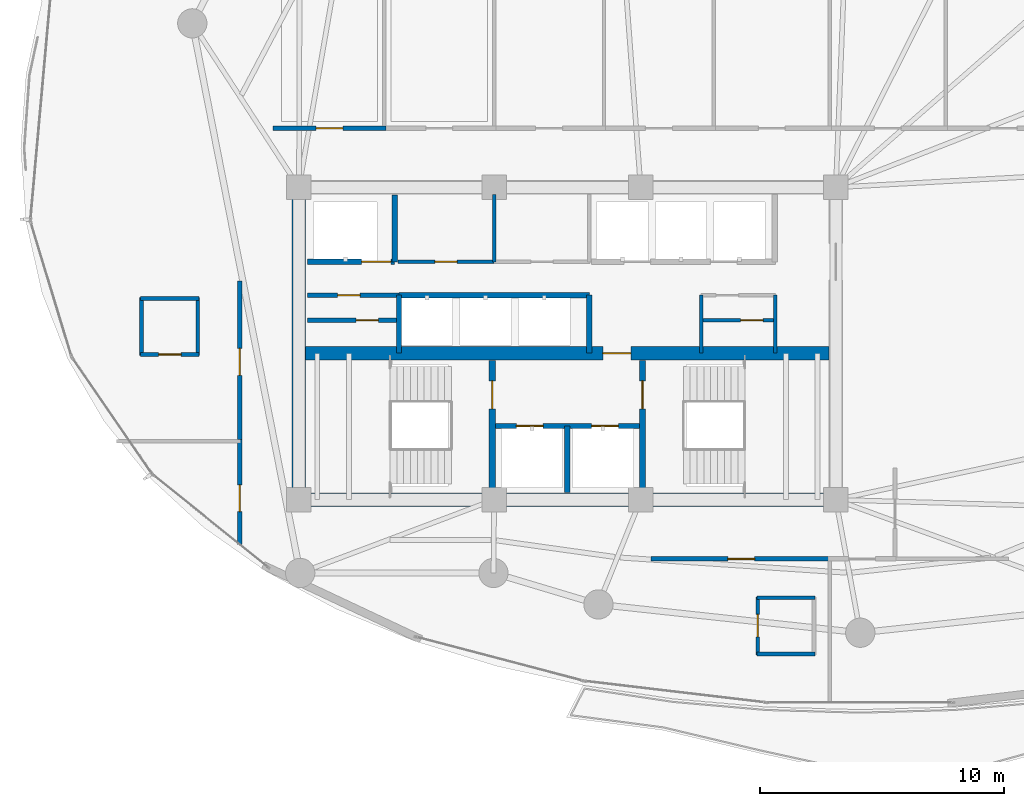
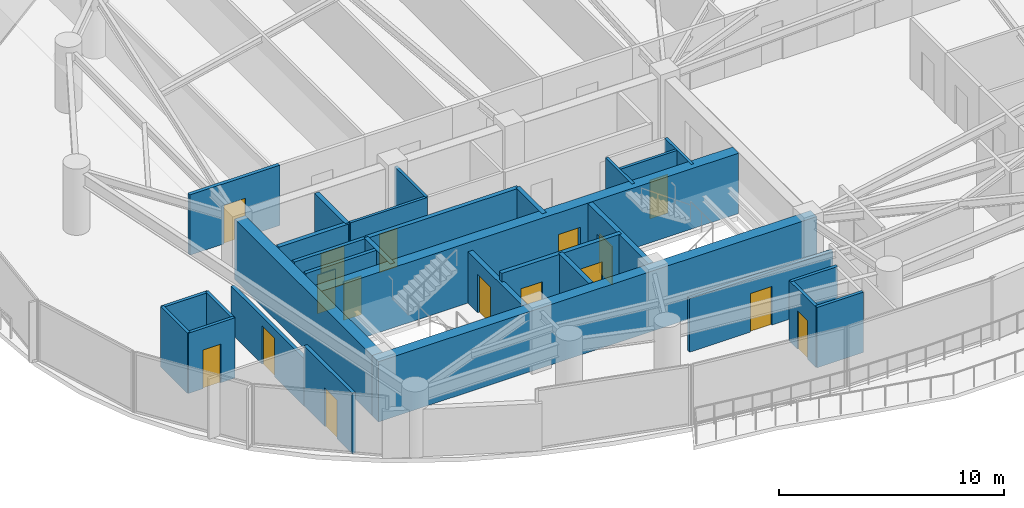
# One storey, part 26 of 33: 30 walls, 16 doors, 16 openings.
"""IFC4 building model written with IfcOpenShell, lengths in metres."""

from ifc_helpers import new_model, si_unit, direction, frame, frame_2d, origin, place, context, subcontext, project, spatial, rectangle, extrude, material, layer, layer_set, type_object, element, fill, save


model = new_model("IFC4")

# Units and contexts
model_context = context("Model", 3, precision=1e-05, world=origin(), true_north=direction((0.0, 1.0)))
body_context = subcontext(model_context, "Body", "Model", "MODEL_VIEW")
ifc_project = project(units=[si_unit("LENGTHUNIT", "METRE"), si_unit("AREAUNIT", "SQUARE_METRE"), si_unit("VOLUMEUNIT", "CUBIC_METRE"), si_unit("PLANEANGLEUNIT", "RADIAN"), si_unit("MASSUNIT", "GRAM", prefix="KILO")], contexts=[model_context])

# Site, building, storey
site_placement = place(None, origin())
site = spatial("IfcSite", under=ifc_project, at=site_placement, CompositionType="ELEMENT")
building_placement = place(site_placement, origin())
building = spatial("IfcBuilding", under=site, at=building_placement, Name="Kazevale Care Tower and Concert Hall", CompositionType="ELEMENT")
storey_placement = place(building_placement, frame((0.0, 0.0, 178.199951171875)))
storey = spatial("IfcBuildingStorey", under=building, at=storey_placement, Name="L47", CompositionType="ELEMENT", Elevation=178.199951171875)

# Wall, opening, door
ifc_material_1 = material(Name="Acoustic Gypsum on Steel Stud", Category="steel")
ifc_layer_1 = layer(ifc_material_1, 0.139892578125)
ifc_layer_set_1 = layer_set([ifc_layer_1], Name="Acoustic Gypsum on Steel Stud")
wall_type_1 = type_object("IfcWallType", Name="Acoustic Care & Suite Partition 140", PredefinedType="PARTITIONING", material=ifc_layer_set_1)
wall_1_placement = place(storey_placement, frame((26.050048828125, 33.35009765625, 0.0), z_axis=(0.0, 0.0, 1.0), x_axis=(1.0, 0.0, 0.0)))
wall_1 = element("IfcWall", 1, at=wall_1_placement, inside=storey, type_object=wall_type_1, Name="wall:L47:c_rpl1_s", PredefinedType="PARTITIONING", context=body_context, shape_type="SweptSolid", body=[
    extrude(rectangle(XDim=3.949951171875, YDim=0.139892578125, at=frame_2d((1.97509765625, 0.0))), origin(), (0.0, 0.0, 1.0), 3.280029296875),
])
opening_1_placement = place(wall_1_placement, frame((1.514892578125, 0.0, 0.0)))
opening_1 = element("IfcOpeningElement", 2, at=opening_1_placement, cuts=wall_1, Name="Opening ID-900", PredefinedType="OPENING", context=body_context, shape_type="SweptSolid", body=[
    extrude(rectangle(XDim=0.919921875, YDim=2.10009765625, at=frame_2d((0.4599609375, 1.050048828125))), frame((0.0, 0.079833984375, 0.0), z_axis=(0.0, -1.0, 0.0), x_axis=(1.0, 0.0, 0.0)), (0.0, 0.0, 1.0), 0.159912109375),
])
ifc_material_2 = material(Name="Oak Timber Fire Leaf", Category="wood")
door_type_1 = type_object("IfcDoorType", Name="Bathroom & Service Door 920x2100", OperationType="NOTDEFINED", PredefinedType="DOOR", material=ifc_material_2)
door_1_placement = place(opening_1_placement, origin())
door_1 = element("IfcDoor", 3, at=door_1_placement, inside=storey, type_object=door_type_1, Name="door:L47:d_rpl1", OperationType="SINGLE_SWING_LEFT", OverallHeight=2.10009765625, OverallWidth=0.919921875, PredefinedType="DOOR", context=body_context, shape_type="SweptSolid", body=[
    extrude(rectangle(XDim=0.919921875, YDim=2.10009765625, at=frame_2d((0.4599609375, 1.050048828125))), frame((0.0, 0.02490234375, 0.0), z_axis=(0.0, -1.0, 0.0), x_axis=(1.0, 0.0, 0.0)), (0.0, 0.0, 1.0), 0.050048828125),
])
fill(opening_1, door_1)

# Walls
wall_2_placement = place(storey_placement, frame((30.0, 33.35009765625, 0.0), z_axis=(0.0, 0.0, 1.0), x_axis=(0.0, 1.0, 0.0)))
element("IfcWall", 4, at=wall_2_placement, inside=storey, type_object=wall_type_1, Name="wall:L47:c_rpl_m", PredefinedType="PARTITIONING", context=body_context, shape_type="SweptSolid", body=[
    extrude(rectangle(XDim=2.75, YDim=0.139892578125, at=frame_2d((1.375, 0.0))), origin(), (0.0, 0.0, 1.0), 3.280029296875),
])
for number, where, z_axis, x_axis, name in (
    (5, (38.47998046875, 29.6201171875, 0.0), (0.0, 0.0, 1.0), (0.0, 1.0, 0.0), "wall:L47:kc_ew"),
    (6, (41.52001953125, 29.6201171875, 0.0), (0.0, 0.0, 1.0), (0.0, 1.0, 0.0), "wall:L47:kc_ee"),
):
    element("IfcWall", number, at=place(storey_placement, frame(where, z_axis=z_axis, x_axis=x_axis)), inside=storey, type_object=wall_type_1, Name=name, PredefinedType="PARTITIONING", context=body_context, shape_type="SweptSolid", body=[
        extrude(rectangle(XDim=2.35986328125, YDim=0.139892578125, at=frame_2d((1.179931640625, 0.0))), origin(), (0.0, 0.0, 1.0), 3.280029296875),
    ])

# Wall, opening, door
wall_3_placement = place(storey_placement, frame((38.47998046875, 30.949951171875, 0.0), z_axis=(0.0, 0.0, 1.0), x_axis=(1.0, 0.0, 0.0)))
wall_3 = element("IfcWall", 7, at=wall_3_placement, inside=storey, type_object=wall_type_1, Name="wall:L47:kc_em", PredefinedType="PARTITIONING", context=body_context, shape_type="SweptSolid", body=[
    extrude(rectangle(XDim=3.0400390625, YDim=0.139892578125, at=frame_2d((1.52001953125, 0.0))), origin(), (0.0, 0.0, 1.0), 3.280029296875),
])
opening_2_placement = place(wall_3_placement, frame((1.616943359375, 0.0, 0.0)))
opening_2 = element("IfcOpeningElement", 8, at=opening_2_placement, cuts=wall_3, Name="Opening ID-900", PredefinedType="OPENING", context=body_context, shape_type="SweptSolid", body=[
    extrude(rectangle(XDim=0.919921875, YDim=2.10009765625, at=frame_2d((0.4599609375, 1.050048828125))), frame((0.0, 0.079833984375, 0.0), z_axis=(0.0, -1.0, 0.0), x_axis=(1.0, 0.0, 0.0)), (0.0, 0.0, 1.0), 0.159912109375),
])
door_2_placement = place(opening_2_placement, origin())
door_2 = element("IfcDoor", 9, at=door_2_placement, inside=storey, type_object=door_type_1, Name="door:L47:d_kceb", OperationType="SINGLE_SWING_RIGHT", OverallHeight=2.10009765625, OverallWidth=0.919921875, PredefinedType="DOOR", context=body_context, shape_type="SweptSolid", body=[
    extrude(rectangle(XDim=0.919921875, YDim=2.10009765625, at=frame_2d((0.4599609375, 1.050048828125))), frame((0.0, 0.02490234375, 0.0), z_axis=(0.0, -1.0, 0.0), x_axis=(1.0, 0.0, 0.0)), (0.0, 0.0, 1.0), 0.050048828125),
])
fill(opening_2, door_2)

# Walls
ifc_material_3 = material(Name="Concrete C60", Category="concrete")
ifc_layer_2 = layer(ifc_material_3, 0.550048828125)
ifc_layer_set_2 = layer_set([ifc_layer_2], Name="Concrete C60")
wall_type_2 = type_object("IfcWallType", Name="Core Shear Wall 550 C60", PredefinedType="SHEAR", material=ifc_layer_set_2)
wall_4_placement = place(storey_placement, frame((21.72509765625, 23.60009765625, 0.0), z_axis=(0.0, 0.0, 1.0), x_axis=(1.0, 0.0, 0.0)))
element("IfcWall", 10, at=wall_4_placement, inside=storey, type_object=wall_type_2, Name="wall:L47:core:S", PredefinedType="SHEAR", context=body_context, shape_type="SweptSolid", body=[
    extrude(rectangle(XDim=22.5498046875, YDim=0.550048828125, at=frame_2d((11.27490234375, 0.0))), origin(), (0.0, 0.0, 1.0), 3.280029296875),
])
wall_5_placement = place(storey_placement, frame((22.0, 23.875, 0.0), z_axis=(0.0, 0.0, 1.0), x_axis=(0.0, 1.0, 0.0)))
element("IfcWall", 11, at=wall_5_placement, inside=storey, type_object=wall_type_2, Name="wall:L47:core:W", PredefinedType="SHEAR", context=body_context, shape_type="SweptSolid", body=[
    extrude(rectangle(XDim=12.25, YDim=0.550048828125, at=frame_2d((6.125, 0.0))), origin(), (0.0, 0.0, 1.0), 3.280029296875),
])

# Wall, opening, door
wall_6_placement = place(storey_placement, frame((22.27490234375, 29.60009765625, 0.0), z_axis=(0.0, 0.0, 1.0), x_axis=(1.0, 0.0, 0.0)))
wall_6 = element("IfcWall", 12, at=wall_6_placement, inside=storey, type_object=wall_type_2, Name="wall:L47:core:M", PredefinedType="SHEAR", context=body_context, shape_type="SweptSolid", body=[
    extrude(rectangle(XDim=21.4501953125, YDim=0.550048828125, at=frame_2d((10.72509765625, 0.0))), origin(), (0.0, 0.0, 1.0), 3.280029296875),
])
opening_3_placement = place(wall_6_placement, frame((12.175048828125, 0.0, 0.0)))
opening_3 = element("IfcOpeningElement", 13, at=opening_3_placement, cuts=wall_6, Name="Opening FD-90", PredefinedType="OPENING", context=body_context, shape_type="SweptSolid", body=[
    extrude(rectangle(XDim=1.14990234375, YDim=2.10009765625, at=frame_2d((0.574951171875, 1.050048828125))), frame((0.0, 0.284912109375, 0.0), z_axis=(0.0, -1.0, 0.0), x_axis=(1.0, 0.0, 0.0)), (0.0, 0.0, 1.0), 0.570068359375),
])
ifc_material_4 = material(Name="Steel ASTM A572 Gr 50", Category="steel")
door_type_2 = type_object("IfcDoorType", Name="Pressurized Stair & Lobby Fire Door 1150x2100", OperationType="NOTDEFINED", PredefinedType="DOOR", material=ifc_material_4)
door_3_placement = place(opening_3_placement, origin())
door_3 = element("IfcDoor", 14, at=door_3_placement, inside=storey, type_object=door_type_2, Name="door:L47:ff_to_pax", OperationType="SINGLE_SWING_LEFT", OverallHeight=2.10009765625, OverallWidth=1.14990234375, PredefinedType="DOOR", context=body_context, shape_type="SweptSolid", body=[
    extrude(rectangle(XDim=1.14990234375, YDim=2.10009765625, at=frame_2d((0.574951171875, 1.050048828125))), frame((0.0, 0.02490234375, 0.0), z_axis=(0.0, -1.0, 0.0), x_axis=(1.0, 0.0, 0.0)), (0.0, 0.0, 1.0), 0.050048828125),
])
fill(opening_3, door_3)

# Wall, openings, doors
ifc_material_5 = material(Name="Concrete C40", Category="concrete")
ifc_layer_3 = layer(ifc_material_5, 0.219970703125)
ifc_layer_set_3 = layer_set([ifc_layer_3], Name="Concrete C40")
wall_type_3 = type_object("IfcWallType", Name="Elevator Hoistway Shaft Wall 220", PredefinedType="SOLIDWALL", material=ifc_layer_set_3)
wall_7_placement = place(storey_placement, frame((29.919921875, 26.6201171875, 0.0), z_axis=(0.0, 0.0, 1.0), x_axis=(1.0, 0.0, 0.0)))
wall_7 = element("IfcWall", 15, at=wall_7_placement, inside=storey, type_object=wall_type_3, Name="wall:L47:c_ffl_n", PredefinedType="SOLIDWALL", context=body_context, shape_type="SweptSolid", body=[
    extrude(rectangle(XDim=6.16015625, YDim=0.219970703125, at=frame_2d((3.080078125, 0.0))), origin(), (0.0, 0.0, 1.0), 3.280029296875),
])
opening_4_placement = place(wall_7_placement, frame((0.989990234375, 0.0, 0.0)))
opening_4 = element("IfcOpeningElement", 16, at=opening_4_placement, cuts=wall_7, Name="Opening LD-FF", PredefinedType="OPENING", context=body_context, shape_type="SweptSolid", body=[
    extrude(rectangle(XDim=1.10009765625, YDim=2.10009765625, at=frame_2d((0.550048828125, 1.050048828125))), frame((0.0, 0.119873046875, 0.0), z_axis=(0.0, -1.0, 0.0), x_axis=(1.0, 0.0, 0.0)), (0.0, 0.0, 1.0), 0.239990234375),
])
opening_5_placement = place(wall_7_placement, frame((4.070068359375, 0.0, 0.0)))
opening_5 = element("IfcOpeningElement", 17, at=opening_5_placement, cuts=wall_7, Name="Opening LD-FF", PredefinedType="OPENING", context=body_context, shape_type="SweptSolid", body=[
    extrude(rectangle(XDim=1.10009765625, YDim=2.10009765625, at=frame_2d((0.550048828125, 1.050048828125))), frame((0.0, 0.119873046875, 0.0), z_axis=(0.0, -1.0, 0.0), x_axis=(1.0, 0.0, 0.0)), (0.0, 0.0, 1.0), 0.239990234375),
])
ifc_material_6 = material(Name="Stainless Steel 316", Category="steel")
door_type_3 = type_object("IfcDoorType", Name="Emergency Lift Sliding Landing Door 1100x2100", OperationType="NOTDEFINED", PredefinedType="DOOR", material=ifc_material_6)
door_4_placement = place(opening_4_placement, origin())
door_4 = element("IfcDoor", 18, at=door_4_placement, inside=storey, type_object=door_type_3, Name="door:L47:ld_ffl1", OperationType="SLIDING_TO_LEFT", OverallHeight=2.10009765625, OverallWidth=1.10009765625, PredefinedType="DOOR", context=body_context, shape_type="SweptSolid", body=[
    extrude(rectangle(XDim=1.10009765625, YDim=2.10009765625, at=frame_2d((0.550048828125, 1.050048828125))), frame((0.0, 0.02490234375, 0.0), z_axis=(0.0, -1.0, 0.0), x_axis=(1.0, 0.0, 0.0)), (0.0, 0.0, 1.0), 0.050048828125),
])
fill(opening_4, door_4)
door_5_placement = place(opening_5_placement, origin())
door_5 = element("IfcDoor", 19, at=door_5_placement, inside=storey, type_object=door_type_3, Name="door:L47:ld_ffl2", OperationType="SLIDING_TO_RIGHT", OverallHeight=2.10009765625, OverallWidth=1.10009765625, PredefinedType="DOOR", context=body_context, shape_type="SweptSolid", body=[
    extrude(rectangle(XDim=1.10009765625, YDim=2.10009765625, at=frame_2d((0.550048828125, 1.050048828125))), frame((0.0, 0.02490234375, 0.0), z_axis=(0.0, -1.0, 0.0), x_axis=(1.0, 0.0, 0.0)), (0.0, 0.0, 1.0), 0.050048828125),
])
fill(opening_5, door_5)

# Walls
wall_8_placement = place(storey_placement, frame((33.0, 23.89990234375, 0.0), z_axis=(0.0, 0.0, 1.0), x_axis=(0.0, 1.0, 0.0)))
element("IfcWall", 20, at=wall_8_placement, inside=storey, type_object=wall_type_3, Name="wall:L47:c_ffl_m", PredefinedType="SOLIDWALL", context=body_context, shape_type="SweptSolid", body=[
    extrude(rectangle(XDim=2.72021484375, YDim=0.219970703125, at=frame_2d((1.360107421875, 0.0))), origin(), (0.0, 0.0, 1.0), 3.280029296875),
])
wall_9_placement = place(storey_placement, frame((25.919921875, 33.35009765625, 0.0), z_axis=(0.0, 0.0, 1.0), x_axis=(0.0, 1.0, 0.0)))
element("IfcWall", 21, at=wall_9_placement, inside=storey, type_object=wall_type_3, Name="wall:L47:c_svl_e", PredefinedType="SOLIDWALL", context=body_context, shape_type="SweptSolid", body=[
    extrude(rectangle(XDim=2.72998046875, YDim=0.219970703125, at=frame_2d((1.364990234375, 0.0))), origin(), (0.0, 0.0, 1.0), 3.280029296875),
])

# Wall, opening, door
wall_10_placement = place(storey_placement, frame((22.35009765625, 33.35009765625, 0.0), z_axis=(0.0, 0.0, 1.0), x_axis=(1.0, 0.0, 0.0)))
wall_10 = element("IfcWall", 22, at=wall_10_placement, inside=storey, type_object=wall_type_3, Name="wall:L47:c_svl_s", PredefinedType="SOLIDWALL", context=body_context, shape_type="SweptSolid", body=[
    extrude(rectangle(XDim=3.56982421875, YDim=0.219970703125, at=frame_2d((1.784912109375, 0.0))), origin(), (0.0, 0.0, 1.0), 3.280029296875),
])
opening_6_placement = place(wall_10_placement, frame((2.212890625, 0.0, 0.0)))
opening_6 = element("IfcOpeningElement", 23, at=opening_6_placement, cuts=wall_10, Name="Opening LD-SV", PredefinedType="OPENING", context=body_context, shape_type="SweptSolid", body=[
    extrude(rectangle(XDim=1.199951171875, YDim=2.10009765625, at=frame_2d((0.60009765625, 1.050048828125))), frame((0.0, 0.119873046875, 0.0), z_axis=(0.0, -1.0, 0.0), x_axis=(1.0, 0.0, 0.0)), (0.0, 0.0, 1.0), 0.239990234375),
])
door_type_4 = type_object("IfcDoorType", Name="Service Lift Sliding Landing Door 1200x2100", OperationType="NOTDEFINED", PredefinedType="DOOR", material=ifc_material_6)
door_6_placement = place(opening_6_placement, origin())
door_6 = element("IfcDoor", 24, at=door_6_placement, inside=storey, type_object=door_type_4, Name="door:L47:ld_svl1", OperationType="SLIDING_TO_LEFT", OverallHeight=2.10009765625, OverallWidth=1.199951171875, PredefinedType="DOOR", context=body_context, shape_type="SweptSolid", body=[
    extrude(rectangle(XDim=1.199951171875, YDim=2.10009765625, at=frame_2d((0.60009765625, 1.050048828125))), frame((0.0, 0.02490234375, 0.0), z_axis=(0.0, -1.0, 0.0), x_axis=(1.0, 0.0, 0.0)), (0.0, 0.0, 1.0), 0.050048828125),
])
fill(opening_6, door_6)

# Walls
wall_11_placement = place(storey_placement, frame((26.10009765625, 29.6201171875, 0.0), z_axis=(0.0, 0.0, 1.0), x_axis=(0.0, 1.0, 0.0)))
element("IfcWall", 25, at=wall_11_placement, inside=storey, type_object=wall_type_3, Name="wall:L47:c_ph_w", PredefinedType="SOLIDWALL", context=body_context, shape_type="SweptSolid", body=[
    extrude(rectangle(XDim=2.35986328125, YDim=0.219970703125, at=frame_2d((1.179931640625, 0.0))), origin(), (0.0, 0.0, 1.0), 3.280029296875),
])
wall_12_placement = place(storey_placement, frame((26.10009765625, 31.97998046875, 0.0), z_axis=(0.0, 0.0, 1.0), x_axis=(1.0, 0.0, 0.0)))
element("IfcWall", 26, at=wall_12_placement, inside=storey, type_object=wall_type_3, Name="wall:L47:c_ph_n", PredefinedType="SOLIDWALL", context=body_context, shape_type="SweptSolid", body=[
    extrude(rectangle(XDim=7.7998046875, YDim=0.219970703125, at=frame_2d((3.89990234375, 0.0))), origin(), (0.0, 0.0, 1.0), 3.280029296875),
])
wall_13_placement = place(storey_placement, frame((33.89990234375, 29.6201171875, 0.0), z_axis=(0.0, 0.0, 1.0), x_axis=(0.0, 1.0, 0.0)))
element("IfcWall", 27, at=wall_13_placement, inside=storey, type_object=wall_type_3, Name="wall:L47:c_ph_e", PredefinedType="SOLIDWALL", context=body_context, shape_type="SweptSolid", body=[
    extrude(rectangle(XDim=2.35986328125, YDim=0.219970703125, at=frame_2d((1.179931640625, 0.0))), origin(), (0.0, 0.0, 1.0), 3.280029296875),
])

# Wall, opening, door
ifc_material_7 = material(Name="Concrete C40 and Acoustic Gypsum", Category="concrete")
ifc_layer_4 = layer(ifc_material_7, 0.179931640625)
ifc_layer_set_4 = layer_set([ifc_layer_4], Name="Concrete C40 and Acoustic Gypsum")
wall_type_4 = type_object("IfcWallType", Name="Fire-Rated Corridor & Party Wall 180", PredefinedType="PARTITIONING", material=ifc_layer_set_4)
wall_14_placement = place(storey_placement, frame((22.35009765625, 30.949951171875, 0.0), z_axis=(0.0, 0.0, 1.0), x_axis=(1.0, 0.0, 0.0)))
wall_14 = element("IfcWall", 28, at=wall_14_placement, inside=storey, type_object=wall_type_4, Name="wall:L47:kc_wm", PredefinedType="PARTITIONING", context=body_context, shape_type="SweptSolid", body=[
    extrude(rectangle(XDim=3.75, YDim=0.179931640625, at=frame_2d((1.875, 0.0))), origin(), (0.0, 0.0, 1.0), 3.280029296875),
])
opening_7_placement = place(wall_14_placement, frame((1.988037109375, 0.0, 0.0)))
opening_7 = element("IfcOpeningElement", 29, at=opening_7_placement, cuts=wall_14, Name="Opening ID-900", PredefinedType="OPENING", context=body_context, shape_type="SweptSolid", body=[
    extrude(rectangle(XDim=0.919921875, YDim=2.10009765625, at=frame_2d((0.4599609375, 1.050048828125))), frame((0.0, 0.099853515625, 0.0), z_axis=(0.0, -1.0, 0.0), x_axis=(1.0, 0.0, 0.0)), (0.0, 0.0, 1.0), 0.199951171875),
])
door_7_placement = place(opening_7_placement, origin())
door_7 = element("IfcDoor", 30, at=door_7_placement, inside=storey, type_object=door_type_1, Name="door:L47:d_kcwb", OperationType="SINGLE_SWING_RIGHT", OverallHeight=2.10009765625, OverallWidth=0.919921875, PredefinedType="DOOR", context=body_context, shape_type="SweptSolid", body=[
    extrude(rectangle(XDim=0.919921875, YDim=2.10009765625, at=frame_2d((0.4599609375, 1.050048828125))), frame((0.0, 0.02490234375, 0.0), z_axis=(0.0, -1.0, 0.0), x_axis=(1.0, 0.0, 0.0)), (0.0, 0.0, 1.0), 0.050048828125),
])
fill(opening_7, door_7)

wall_15_placement = place(storey_placement, frame((22.35009765625, 31.97998046875, 0.0), z_axis=(0.0, 0.0, 1.0), x_axis=(1.0, 0.0, 0.0)))
wall_15 = element("IfcWall", 31, at=wall_15_placement, inside=storey, type_object=wall_type_4, Name="wall:L47:kc_wn", PredefinedType="PARTITIONING", context=body_context, shape_type="SweptSolid", body=[
    extrude(rectangle(XDim=3.75, YDim=0.179931640625, at=frame_2d((1.875, 0.0))), origin(), (0.0, 0.0, 1.0), 3.280029296875),
])
opening_8_placement = place(wall_15_placement, frame((1.238037109375, 0.0, 0.0)))
opening_8 = element("IfcOpeningElement", 32, at=opening_8_placement, cuts=wall_15, Name="Opening ID-900", PredefinedType="OPENING", context=body_context, shape_type="SweptSolid", body=[
    extrude(rectangle(XDim=0.919921875, YDim=2.10009765625, at=frame_2d((0.4599609375, 1.050048828125))), frame((0.0, 0.099853515625, 0.0), z_axis=(0.0, -1.0, 0.0), x_axis=(1.0, 0.0, 0.0)), (0.0, 0.0, 1.0), 0.199951171875),
])
door_8_placement = place(opening_8_placement, origin())
door_8 = element("IfcDoor", 33, at=door_8_placement, inside=storey, type_object=door_type_1, Name="door:L47:d_kcwt", OperationType="SINGLE_SWING_LEFT", OverallHeight=2.10009765625, OverallWidth=0.919921875, PredefinedType="DOOR", context=body_context, shape_type="SweptSolid", body=[
    extrude(rectangle(XDim=0.919921875, YDim=2.10009765625, at=frame_2d((0.4599609375, 1.050048828125))), frame((0.0, 0.02490234375, 0.0), z_axis=(0.0, -1.0, 0.0), x_axis=(1.0, 0.0, 0.0)), (0.0, 0.0, 1.0), 0.050048828125),
])
fill(opening_8, door_8)

wall_16_placement = place(storey_placement, frame((20.93505859375, 38.824951171875, 0.0), z_axis=(0.0, 0.0, 1.0), x_axis=(1.0, 0.0, 0.0)))
wall_16 = element("IfcWall", 34, at=wall_16_placement, inside=storey, type_object=wall_type_4, Name="wall:L47:auto_001", PredefinedType="PARTITIONING", context=body_context, shape_type="SweptSolid", body=[
    extrude(rectangle(XDim=4.6298828125, YDim=0.179931640625, at=frame_2d((2.31494140625, 0.0))), origin(), (0.0, 0.0, 1.0), 3.280029296875),
])
opening_9_placement = place(wall_16_placement, frame((1.764892578125, 0.0, 0.0)))
opening_9 = element("IfcOpeningElement", 35, at=opening_9_placement, cuts=wall_16, Name="Opening ID-1100", PredefinedType="OPENING", context=body_context, shape_type="SweptSolid", body=[
    extrude(rectangle(XDim=1.10009765625, YDim=2.10009765625, at=frame_2d((0.550048828125, 1.050048828125))), frame((0.0, 0.099853515625, 0.0), z_axis=(0.0, -1.0, 0.0), x_axis=(1.0, 0.0, 0.0)), (0.0, 0.0, 1.0), 0.199951171875),
])
door_type_5 = type_object("IfcDoorType", Name="Care Bedroom Accessible Door 1100x2100", OperationType="NOTDEFINED", PredefinedType="DOOR", material=ifc_material_2)
door_9_placement = place(opening_9_placement, origin())
door_9 = element("IfcDoor", 36, at=door_9_placement, inside=storey, type_object=door_type_5, Name="door:L47:ad_001", OperationType="SINGLE_SWING_LEFT", OverallHeight=2.10009765625, OverallWidth=1.10009765625, PredefinedType="DOOR", context=body_context, shape_type="SweptSolid", body=[
    extrude(rectangle(XDim=1.10009765625, YDim=2.10009765625, at=frame_2d((0.550048828125, 1.050048828125))), frame((0.0, 0.02490234375, 0.0), z_axis=(0.0, -1.0, 0.0), x_axis=(1.0, 0.0, 0.0)), (0.0, 0.0, 1.0), 0.050048828125),
])
fill(opening_9, door_9)

wall_17_placement = place(storey_placement, frame((43.81494140625, 21.175048828125, 0.0), z_axis=(0.0, 0.0, 1.0), x_axis=(-1.0, 0.0, 0.0)))
wall_17 = element("IfcWall", 37, at=wall_17_placement, inside=storey, type_object=wall_type_4, Name="wall:L47:auto_017", PredefinedType="PARTITIONING", context=body_context, shape_type="SweptSolid", body=[
    extrude(rectangle(XDim=7.3798828125, YDim=0.179931640625, at=frame_2d((3.68994140625, 0.0))), origin(), (0.0, 0.0, 1.0), 2.916015625),
])
opening_10_placement = place(wall_17_placement, frame((3.139892578125, 0.0, 0.0)))
opening_10 = element("IfcOpeningElement", 38, at=opening_10_placement, cuts=wall_17, Name="Opening ID-1100", PredefinedType="OPENING", context=body_context, shape_type="SweptSolid", body=[
    extrude(rectangle(XDim=1.10009765625, YDim=2.10009765625, at=frame_2d((0.550048828125, 1.050048828125))), frame((0.0, 0.099853515625, 0.0), z_axis=(0.0, -1.0, 0.0), x_axis=(1.0, 0.0, 0.0)), (0.0, 0.0, 1.0), 0.199951171875),
])
door_10_placement = place(opening_10_placement, origin())
door_10 = element("IfcDoor", 39, at=door_10_placement, inside=storey, type_object=door_type_5, Name="door:L47:ad_017", OperationType="SINGLE_SWING_LEFT", OverallHeight=2.10009765625, OverallWidth=1.10009765625, PredefinedType="DOOR", context=body_context, shape_type="SweptSolid", body=[
    extrude(rectangle(XDim=1.10009765625, YDim=2.10009765625, at=frame_2d((0.550048828125, 1.050048828125))), frame((0.0, 0.02490234375, 0.0), z_axis=(0.0, -1.0, 0.0), x_axis=(1.0, 0.0, 0.0)), (0.0, 0.0, 1.0), 0.050048828125),
])
fill(opening_10, door_10)

wall_18_placement = place(storey_placement, frame((19.574951171875, 21.774658203125, 0.0), z_axis=(0.0, 0.0, 1.0), x_axis=(0.0, 1.0, 0.0)))
wall_18 = element("IfcWall", 40, at=wall_18_placement, inside=storey, type_object=wall_type_4, Name="wall:L47:auto_019", PredefinedType="PARTITIONING", context=body_context, shape_type="SweptSolid", body=[
    extrude(rectangle(XDim=4.290283203125, YDim=0.179931640625, at=frame_2d((2.14501953125, 0.0))), origin(), (0.0, 0.0, 1.0), 3.280029296875),
])
opening_11_placement = place(wall_18_placement, frame((1.337890625, 0.0, 0.0)))
opening_11 = element("IfcOpeningElement", 41, at=opening_11_placement, cuts=wall_18, Name="Opening ID-1100", PredefinedType="OPENING", context=body_context, shape_type="SweptSolid", body=[
    extrude(rectangle(XDim=1.10009765625, YDim=2.10009765625, at=frame_2d((0.550048828125, 1.050048828125))), frame((0.0, 0.099853515625, 0.0), z_axis=(0.0, -1.0, 0.0), x_axis=(1.0, 0.0, 0.0)), (0.0, 0.0, 1.0), 0.199951171875),
])
door_11_placement = place(opening_11_placement, origin())
door_11 = element("IfcDoor", 42, at=door_11_placement, inside=storey, type_object=door_type_5, Name="door:L47:ad_019", OperationType="SINGLE_SWING_LEFT", OverallHeight=2.10009765625, OverallWidth=1.10009765625, PredefinedType="DOOR", context=body_context, shape_type="SweptSolid", body=[
    extrude(rectangle(XDim=1.10009765625, YDim=2.10009765625, at=frame_2d((0.550048828125, 1.050048828125))), frame((0.0, 0.02490234375, 0.0), z_axis=(0.0, -1.0, 0.0), x_axis=(1.0, 0.0, 0.0)), (0.0, 0.0, 1.0), 0.050048828125),
])
fill(opening_11, door_11)

wall_19_placement = place(storey_placement, frame((19.574951171875, 25.93505859375, 0.0), z_axis=(0.0, 0.0, 1.0), x_axis=(0.0, 1.0, 0.0)))
wall_19 = element("IfcWall", 43, at=wall_19_placement, inside=storey, type_object=wall_type_4, Name="wall:L47:auto_020", PredefinedType="PARTITIONING", context=body_context, shape_type="SweptSolid", body=[
    extrude(rectangle(XDim=6.6298828125, YDim=0.179931640625, at=frame_2d((3.31494140625, 0.0))), origin(), (0.0, 0.0, 1.0), 2.5771484375),
])
opening_12_placement = place(wall_19_placement, frame((2.764892578125, 0.0, 0.0)))
opening_12 = element("IfcOpeningElement", 44, at=opening_12_placement, cuts=wall_19, Name="Opening ID-1100", PredefinedType="OPENING", context=body_context, shape_type="SweptSolid", body=[
    extrude(rectangle(XDim=1.10009765625, YDim=2.10009765625, at=frame_2d((0.550048828125, 1.050048828125))), frame((0.0, 0.099853515625, 0.0), z_axis=(0.0, -1.0, 0.0), x_axis=(1.0, 0.0, 0.0)), (0.0, 0.0, 1.0), 0.199951171875),
])
door_12_placement = place(opening_12_placement, origin())
door_12 = element("IfcDoor", 45, at=door_12_placement, inside=storey, type_object=door_type_5, Name="door:L47:ad_020", OperationType="SINGLE_SWING_LEFT", OverallHeight=2.10009765625, OverallWidth=1.10009765625, PredefinedType="DOOR", context=body_context, shape_type="SweptSolid", body=[
    extrude(rectangle(XDim=1.10009765625, YDim=2.10009765625, at=frame_2d((0.550048828125, 1.050048828125))), frame((0.0, 0.02490234375, 0.0), z_axis=(0.0, -1.0, 0.0), x_axis=(1.0, 0.0, 0.0)), (0.0, 0.0, 1.0), 0.050048828125),
])
fill(opening_12, door_12)

# Walls
ifc_layer_5 = layer(ifc_material_1, 0.159912109375)
ifc_layer_set_5 = layer_set([ifc_layer_5], Name="Acoustic Gypsum on Steel Stud")
wall_type_5 = type_object("IfcWallType", Name="Moisture-Resistant Bathroom Plumbing Wall 160", PredefinedType="PLUMBINGWALL", material=ifc_layer_set_5)
for number, where, z_axis, x_axis, name in (
    (46, (40.760009765625, 17.281982421875, 0.0), (0.0, 0.0, 1.0), (1.0, 0.0, 0.0), "wall:L47:sb2a_ens_ws"),
    (47, (40.760009765625, 19.58203125, 0.0), (0.0, 0.0, 1.0), (1.0, 0.0, 0.0), "wall:L47:sb2a_ens_wn"),
):
    element("IfcWall", number, at=place(storey_placement, frame(where, z_axis=z_axis, x_axis=x_axis)), inside=storey, type_object=wall_type_5, Name=name, PredefinedType="PLUMBINGWALL", context=body_context, shape_type="SweptSolid", body=[
        extrude(rectangle(XDim=2.3798828125, YDim=0.159912109375, at=frame_2d((1.18994140625, 0.0))), origin(), (0.0, 0.0, 1.0), 3.280029296875),
    ])

# Wall, opening, door
wall_20_placement = place(storey_placement, frame((40.800048828125, 17.241943359375, 0.0), z_axis=(0.0, 0.0, 1.0), x_axis=(0.0, 1.0, 0.0)))
wall_20 = element("IfcWall", 48, at=wall_20_placement, inside=storey, type_object=wall_type_5, Name="wall:L47:sb2a_ens_ww", PredefinedType="PLUMBINGWALL", context=body_context, shape_type="SweptSolid", body=[
    extrude(rectangle(XDim=2.380126953125, YDim=0.159912109375, at=frame_2d((1.18994140625, 0.0))), origin(), (0.0, 0.0, 1.0), 3.280029296875),
])
opening_13_placement = place(wall_20_placement, frame((0.739990234375, 0.0, 0.0)))
opening_13 = element("IfcOpeningElement", 49, at=opening_13_placement, cuts=wall_20, Name="Opening ID-900", PredefinedType="OPENING", context=body_context, shape_type="SweptSolid", body=[
    extrude(rectangle(XDim=0.919921875, YDim=2.10009765625, at=frame_2d((0.4599609375, 1.050048828125))), frame((0.0, 0.08984375, 0.0), z_axis=(0.0, -1.0, 0.0), x_axis=(1.0, 0.0, 0.0)), (0.0, 0.0, 1.0), 0.179931640625),
])
door_13_placement = place(opening_13_placement, origin())
door_13 = element("IfcDoor", 50, at=door_13_placement, inside=storey, type_object=door_type_1, Name="door:L47:sb2a_ens_d", OperationType="SINGLE_SWING_RIGHT", OverallHeight=2.10009765625, OverallWidth=0.919921875, PredefinedType="DOOR", context=body_context, shape_type="SweptSolid", body=[
    extrude(rectangle(XDim=0.919921875, YDim=2.10009765625, at=frame_2d((0.4599609375, 1.050048828125))), frame((0.0, 0.02490234375, 0.0), z_axis=(0.0, -1.0, 0.0), x_axis=(1.0, 0.0, 0.0)), (0.0, 0.0, 1.0), 0.050048828125),
])
fill(opening_13, door_13)

wall_21_placement = place(storey_placement, frame((15.514892578125, 29.550048828125, 0.0), z_axis=(0.0, 0.0, 1.0), x_axis=(1.0, 0.0, 0.0)))
wall_21 = element("IfcWall", 51, at=wall_21_placement, inside=storey, type_object=wall_type_5, Name="wall:L47:wb2_ens_ws", PredefinedType="PLUMBINGWALL", context=body_context, shape_type="SweptSolid", body=[
    extrude(rectangle(XDim=2.380126953125, YDim=0.159912109375, at=frame_2d((1.18994140625, 0.0))), origin(), (0.0, 0.0, 1.0), 3.280029296875),
])
opening_14_placement = place(wall_21_placement, frame((0.739990234375, 0.0, 0.0)))
opening_14 = element("IfcOpeningElement", 52, at=opening_14_placement, cuts=wall_21, Name="Opening ID-900", PredefinedType="OPENING", context=body_context, shape_type="SweptSolid", body=[
    extrude(rectangle(XDim=0.919921875, YDim=2.10009765625, at=frame_2d((0.4599609375, 1.050048828125))), frame((0.0, 0.08984375, 0.0), z_axis=(0.0, -1.0, 0.0), x_axis=(1.0, 0.0, 0.0)), (0.0, 0.0, 1.0), 0.179931640625),
])
door_14_placement = place(opening_14_placement, origin())
door_14 = element("IfcDoor", 53, at=door_14_placement, inside=storey, type_object=door_type_1, Name="door:L47:wb2_ens_d", OperationType="SINGLE_SWING_RIGHT", OverallHeight=2.10009765625, OverallWidth=0.919921875, PredefinedType="DOOR", context=body_context, shape_type="SweptSolid", body=[
    extrude(rectangle(XDim=0.919921875, YDim=2.10009765625, at=frame_2d((0.4599609375, 1.050048828125))), frame((0.0, 0.02490234375, 0.0), z_axis=(0.0, -1.0, 0.0), x_axis=(1.0, 0.0, 0.0)), (0.0, 0.0, 1.0), 0.050048828125),
])
fill(opening_14, door_14)

# Walls
wall_22_placement = place(storey_placement, frame((15.514892578125, 31.85009765625, 0.0), z_axis=(0.0, 0.0, 1.0), x_axis=(1.0, 0.0, 0.0)))
element("IfcWall", 54, at=wall_22_placement, inside=storey, type_object=wall_type_5, Name="wall:L47:wb2_ens_wn", PredefinedType="PLUMBINGWALL", context=body_context, shape_type="SweptSolid", body=[
    extrude(rectangle(XDim=2.380126953125, YDim=0.159912109375, at=frame_2d((1.18994140625, 0.0))), origin(), (0.0, 0.0, 1.0), 3.280029296875),
])
for number, where, z_axis, x_axis, name in (
    (55, (15.554931640625, 29.510009765625, 0.0), (0.0, 0.0, 1.0), (0.0, 1.0, 0.0), "wall:L47:wb2_ens_ww"),
    (56, (17.85498046875, 29.510009765625, 0.0), (0.0, 0.0, 1.0), (0.0, 1.0, 0.0), "wall:L47:wb2_ens_we"),
):
    element("IfcWall", number, at=place(storey_placement, frame(where, z_axis=z_axis, x_axis=x_axis)), inside=storey, type_object=wall_type_5, Name=name, PredefinedType="PLUMBINGWALL", context=body_context, shape_type="SweptSolid", body=[
        extrude(rectangle(XDim=2.3798828125, YDim=0.159912109375, at=frame_2d((1.18994140625, 0.0))), origin(), (0.0, 0.0, 1.0), 3.280029296875),
    ])

# Wall, opening, door
ifc_layer_6 = layer(ifc_material_5, 0.25)
ifc_layer_set_6 = layer_set([ifc_layer_6], Name="Concrete C40")
wall_type_6 = type_object("IfcWallType", Name="Pressurized Stair Shaft Wall 250", PredefinedType="SOLIDWALL", material=ifc_layer_set_6)
wall_23_placement = place(storey_placement, frame((29.919921875, 23.89990234375, 0.0), z_axis=(0.0, 0.0, 1.0), x_axis=(0.0, 1.0, 0.0)))
wall_23 = element("IfcWall", 57, at=wall_23_placement, inside=storey, type_object=wall_type_6, Name="wall:L47:c_st1_e", PredefinedType="SOLIDWALL", context=body_context, shape_type="SweptSolid", body=[
    extrude(rectangle(XDim=5.400146484375, YDim=0.25, at=frame_2d((2.7001953125, 0.0))), origin(), (0.0, 0.0, 1.0), 2.81005859375),
])
opening_15_placement = place(wall_23_placement, frame((3.4208984375, 0.0, 0.0)))
opening_15 = element("IfcOpeningElement", 58, at=opening_15_placement, cuts=wall_23, Name="Opening FD-90", PredefinedType="OPENING", context=body_context, shape_type="SweptSolid", body=[
    extrude(rectangle(XDim=1.14990234375, YDim=2.10009765625, at=frame_2d((0.574951171875, 1.050048828125))), frame((0.0, 0.135009765625, 0.0), z_axis=(0.0, -1.0, 0.0), x_axis=(1.0, 0.0, 0.0)), (0.0, 0.0, 1.0), 0.27001953125),
])
door_15_placement = place(opening_15_placement, origin())
door_15 = element("IfcDoor", 59, at=door_15_placement, inside=storey, type_object=door_type_2, Name="door:L47:st1", OperationType="SINGLE_SWING_RIGHT", OverallHeight=2.10009765625, OverallWidth=1.14990234375, PredefinedType="DOOR", context=body_context, shape_type="SweptSolid", body=[
    extrude(rectangle(XDim=1.14990234375, YDim=2.10009765625, at=frame_2d((0.574951171875, 1.050048828125))), frame((0.0, 0.02490234375, 0.0), z_axis=(0.0, -1.0, 0.0), x_axis=(1.0, 0.0, 0.0)), (0.0, 0.0, 1.0), 0.050048828125),
])
fill(opening_15, door_15)

wall_24_placement = place(storey_placement, frame((36.080078125, 23.89990234375, 0.0), z_axis=(0.0, 0.0, 1.0), x_axis=(0.0, 1.0, 0.0)))
wall_24 = element("IfcWall", 60, at=wall_24_placement, inside=storey, type_object=wall_type_6, Name="wall:L47:c_st2_w", PredefinedType="SOLIDWALL", context=body_context, shape_type="SweptSolid", body=[
    extrude(rectangle(XDim=5.400146484375, YDim=0.25, at=frame_2d((2.7001953125, 0.0))), origin(), (0.0, 0.0, 1.0), 3.280029296875),
])
opening_16_placement = place(wall_24_placement, frame((3.4208984375, 0.0, 0.0)))
opening_16 = element("IfcOpeningElement", 61, at=opening_16_placement, cuts=wall_24, Name="Opening FD-90", PredefinedType="OPENING", context=body_context, shape_type="SweptSolid", body=[
    extrude(rectangle(XDim=1.14990234375, YDim=2.10009765625, at=frame_2d((0.574951171875, 1.050048828125))), frame((0.0, 0.135009765625, 0.0), z_axis=(0.0, -1.0, 0.0), x_axis=(1.0, 0.0, 0.0)), (0.0, 0.0, 1.0), 0.27001953125),
])
door_16_placement = place(opening_16_placement, origin())
door_16 = element("IfcDoor", 62, at=door_16_placement, inside=storey, type_object=door_type_2, Name="door:L47:st2", OperationType="SINGLE_SWING_LEFT", OverallHeight=2.10009765625, OverallWidth=1.14990234375, PredefinedType="DOOR", context=body_context, shape_type="SweptSolid", body=[
    extrude(rectangle(XDim=1.14990234375, YDim=2.10009765625, at=frame_2d((0.574951171875, 1.050048828125))), frame((0.0, 0.02490234375, 0.0), z_axis=(0.0, -1.0, 0.0), x_axis=(1.0, 0.0, 0.0)), (0.0, 0.0, 1.0), 0.050048828125),
])
fill(opening_16, door_16)

save(model, "model.ifc")
